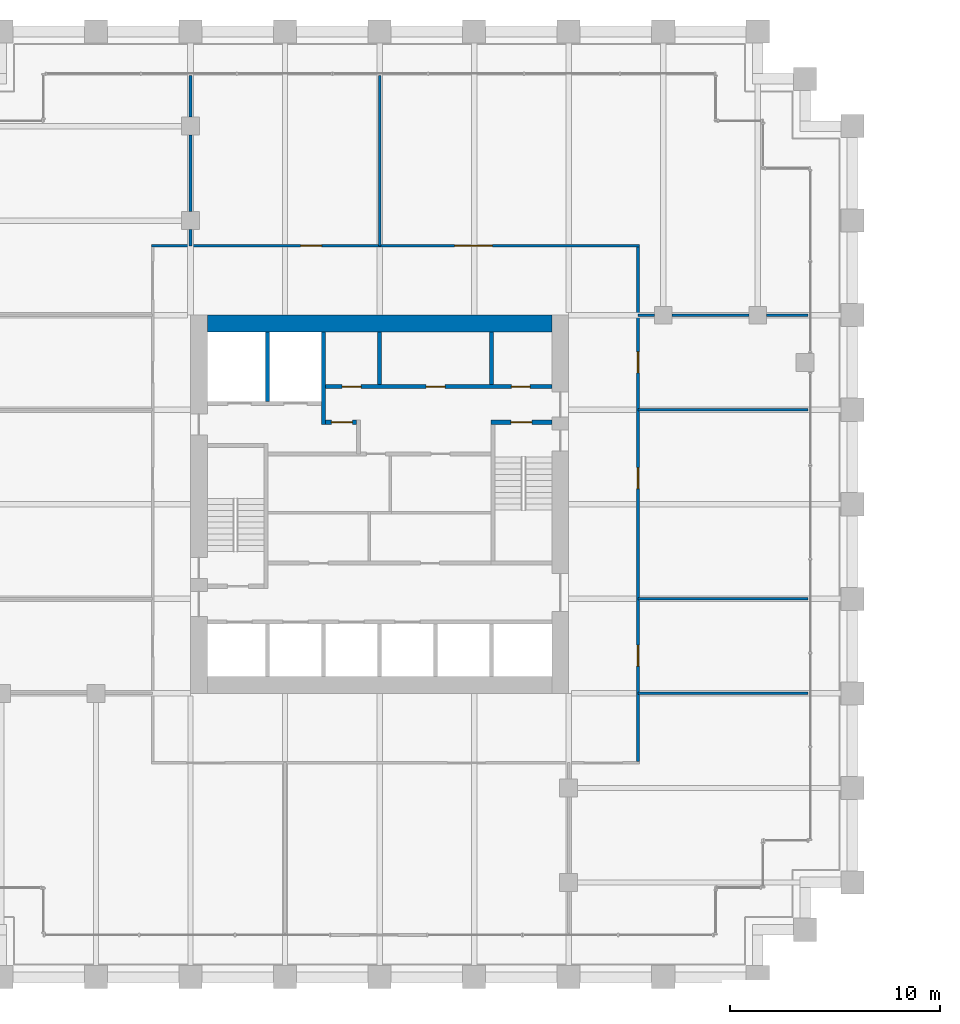
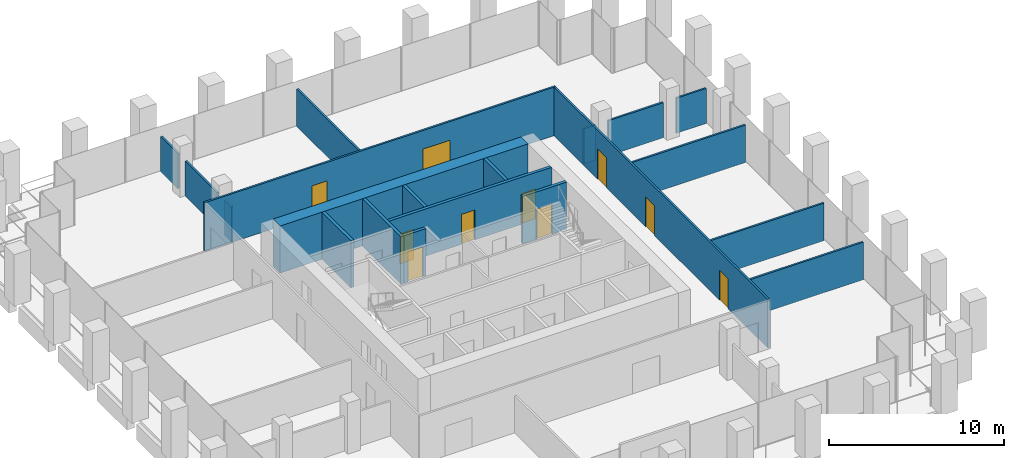
# One storey, part 51 of 56: 20 walls, 10 doors, 10 openings.
"""IFC4 building model written with IfcOpenShell, lengths in metres."""

from ifc_helpers import new_model, si_unit, direction, frame, frame_2d, origin, place, context, subcontext, project, spatial, rectangle, extrude, material, layer, layer_set, type_object, element, fill, save


model = new_model("IFC4")

# Units and contexts
model_context = context("Model", 3, precision=1e-05, world=origin(), true_north=direction((0.0, 1.0)))
body_context = subcontext(model_context, "Body", "Model", "MODEL_VIEW")
ifc_project = project(units=[si_unit("LENGTHUNIT", "METRE"), si_unit("AREAUNIT", "SQUARE_METRE"), si_unit("VOLUMEUNIT", "CUBIC_METRE"), si_unit("PLANEANGLEUNIT", "RADIAN"), si_unit("MASSUNIT", "GRAM", prefix="KILO")], contexts=[model_context])

# Site, building, storey
site_placement = place(None, origin())
site = spatial("IfcSite", under=ifc_project, at=site_placement, CompositionType="ELEMENT")
building_placement = place(site_placement, origin())
building = spatial("IfcBuilding", under=site, at=building_placement, Name="Altepetl Exchange Towers", CompositionType="ELEMENT")
storey_placement = place(building_placement, frame((0.0, 0.0, 83.39990234375)))
storey = spatial("IfcBuildingStorey", under=building, at=storey_placement, Name="L20", CompositionType="ELEMENT", Elevation=83.39990234375)

# Wall
ifc_material_1 = material(Name="Concrete C70/85", Category="concrete")
ifc_layer_1 = layer(ifc_material_1, 0.800048828125)
ifc_layer_set_1 = layer_set([ifc_layer_1], Name="Concrete C70/85")
wall_type_1 = type_object("IfcWallType", Name="Core wall 800 reinforced concrete", PredefinedType="SHEAR", material=ifc_layer_set_1)
wall_1_placement = place(storey_placement, frame((41.300048828125, 58.10009765625, 0.0)))
element("IfcWall", 1, at=wall_1_placement, inside=storey, type_object=wall_type_1, Name="wall:A:L20:K-coreN", PredefinedType="SHEAR", context=body_context, shape_type="SweptSolid", body=[
    extrude(rectangle(XDim=16.39990234375, YDim=0.800048828125, at=frame_2d((8.199951171875, 0.0))), origin(), (0.0, 0.0, 1.0), 3.300048828125),
])

# Wall, opening, door
ifc_material_2 = material(Name="Concrete blockwork", Category="masonry")
ifc_layer_2 = layer(ifc_material_2, 0.199951171875)
ifc_layer_set_2 = layer_set([ifc_layer_2], Name="Concrete blockwork")
wall_type_2 = type_object("IfcWallType", Name="Lobby wall 200 blockwork", PredefinedType="PARTITIONING", material=ifc_layer_set_2)
wall_2_placement = place(storey_placement, frame((46.933349609375, 53.39990234375, 0.0)))
wall_2 = element("IfcWall", 2, at=wall_2_placement, inside=storey, type_object=wall_type_2, Name="wall:A:L20:K-ffN", PredefinedType="PARTITIONING", context=body_context, shape_type="SweptSolid", body=[
    extrude(rectangle(XDim=1.466552734375, YDim=0.199951171875, at=frame_2d((0.7333984375, 0.0))), origin(), (0.0, 0.0, 1.0), 3.300048828125),
])
opening_1_placement = place(wall_2_placement, frame((0.2666015625, 0.0, 0.0)))
opening_1 = element("IfcOpeningElement", 3, at=opening_1_placement, cuts=wall_2, Name="Opening L20.A67", PredefinedType="OPENING", context=body_context, shape_type="SweptSolid", body=[
    extrude(rectangle(XDim=1.0, YDim=2.10009765625, at=frame_2d((0.5, 1.050048828125))), frame((0.0, 0.10986328125, 0.0), z_axis=(0.0, -1.0, 0.0), x_axis=(1.0, 0.0, 0.0)), (0.0, 0.0, 1.0), 0.219970703125),
])
ifc_material_3 = material(Name="Steel and timber fire door", Category="steel")
door_type_1 = type_object("IfcDoorType", Name="Fire door 1000 x 2100 stair and lobby", OperationType="SINGLE_SWING_LEFT", PredefinedType="DOOR", material=ifc_material_3)
door_1_placement = place(opening_1_placement, frame((1.0, 0.0, 0.0), x_axis=(-1.0, 0.0, 0.0)))
door_1 = element("IfcDoor", 4, at=door_1_placement, inside=storey, type_object=door_type_1, Name="door:A:L20:K-dffN", OperationType="SINGLE_SWING_RIGHT", OverallHeight=2.10009765625, OverallWidth=1.0, PredefinedType="DOOR", context=body_context, shape_type="SweptSolid", body=[
    extrude(rectangle(XDim=1.0, YDim=2.10009765625, at=frame_2d((0.5, 1.050048828125))), frame((0.0, 0.02490234375, 0.0), z_axis=(0.0, -1.0, 0.0), x_axis=(1.0, 0.0, 0.0)), (0.0, 0.0, 1.0), 0.050048828125),
])
fill(opening_1, door_1)

# Walls
ifc_material_4 = material(Name="Gypsum board on steel studs", Category="steel")
ifc_layer_3 = layer(ifc_material_4, 0.125)
ifc_layer_set_3 = layer_set([ifc_layer_3], Name="Gypsum board on steel studs")
wall_type_3 = type_object("IfcWallType", Name="Partition 125 gypsum board on steel studs", PredefinedType="PARTITIONING", material=ifc_layer_set_3)
for number, where, name in (
    (5, (61.800048828125, 40.5, 0.0), "wall:A:L20:P05"),
    (6, (61.800048828125, 45.0, 0.0), "wall:A:L20:P07"),
    (7, (61.800048828125, 54.0, 0.0), "wall:A:L20:P09"),
):
    element("IfcWall", number, at=place(storey_placement, frame(where)), inside=storey, type_object=wall_type_3, Name=name, PredefinedType="PARTITIONING", context=body_context, shape_type="SweptSolid", body=[
        extrude(rectangle(XDim=8.099853515625, YDim=0.125, at=frame_2d((4.0498046875, 0.0))), origin(), (0.0, 0.0, 1.0), 2.6259765625),
    ])
wall_3_placement = place(storey_placement, frame((61.800048828125, 58.5, 0.0)))
element("IfcWall", 8, at=wall_3_placement, inside=storey, type_object=wall_type_3, Name="wall:A:L20:P11", PredefinedType="PARTITIONING", context=body_context, shape_type="SweptSolid", body=[
    extrude(rectangle(XDim=0.77490234375, YDim=0.125, at=frame_2d((0.387451171875, 0.0))), origin(), (0.0, 0.0, 1.0), 2.45703125),
])
wall_4_placement = place(storey_placement, frame((63.425048828125, 58.5, 0.0)))
element("IfcWall", 9, at=wall_4_placement, inside=storey, type_object=wall_type_3, Name="wall:A:L20:P12", PredefinedType="PARTITIONING", context=body_context, shape_type="SweptSolid", body=[
    extrude(rectangle(XDim=3.64990234375, YDim=0.125, at=frame_2d((1.824951171875, 0.0))), origin(), (0.0, 0.0, 1.0), 2.45703125),
])
wall_5_placement = place(storey_placement, frame((67.925048828125, 58.5, 0.0)))
element("IfcWall", 10, at=wall_5_placement, inside=storey, type_object=wall_type_3, Name="wall:A:L20:P13", PredefinedType="PARTITIONING", context=body_context, shape_type="SweptSolid", body=[
    extrude(rectangle(XDim=1.974853515625, YDim=0.125, at=frame_2d((0.9873046875, 0.0))), origin(), (0.0, 0.0, 1.0), 2.45703125),
])

# Wall, openings, doors
wall_6_placement = place(storey_placement, frame((38.637451171875, 61.800048828125, 0.0)))
wall_6 = element("IfcWall", 11, at=wall_6_placement, inside=storey, type_object=wall_type_3, Name="wall:A:L20:P14", PredefinedType="PARTITIONING", context=body_context, shape_type="SweptSolid", body=[
    extrude(rectangle(XDim=23.22509765625, YDim=0.125, at=frame_2d((11.612548828125, 0.0))), origin(), (0.0, 0.0, 1.0), 3.400146484375),
])
opening_2_placement = place(wall_6_placement, frame((14.4326171875, 0.0, 0.0)))
opening_2 = element("IfcOpeningElement", 12, at=opening_2_placement, cuts=wall_6, Name="Opening L20.A08", PredefinedType="OPENING", context=body_context, shape_type="SweptSolid", body=[
    extrude(rectangle(XDim=1.800048828125, YDim=2.10009765625, at=frame_2d((0.89990234375, 1.050048828125))), frame((0.0, 0.072509765625, 0.0), z_axis=(0.0, -1.0, 0.0), x_axis=(1.0, 0.0, 0.0)), (0.0, 0.0, 1.0), 0.14501953125),
])
opening_3_placement = place(wall_6_placement, frame((7.1044921875, 0.0, 0.0)))
opening_3 = element("IfcOpeningElement", 13, at=opening_3_placement, cuts=wall_6, Name="Opening L20.A09", PredefinedType="OPENING", context=body_context, shape_type="SweptSolid", body=[
    extrude(rectangle(XDim=1.0, YDim=2.10009765625, at=frame_2d((0.5, 1.050048828125))), frame((0.0, 0.072509765625, 0.0), z_axis=(0.0, -1.0, 0.0), x_axis=(1.0, 0.0, 0.0)), (0.0, 0.0, 1.0), 0.14501953125),
])
door_type_2 = type_object("IfcDoorType", Name="Fire door 1000 x 2100 single leaf", OperationType="SINGLE_SWING_LEFT", PredefinedType="DOOR", material=ifc_material_3)
door_2_placement = place(opening_3_placement, origin())
door_2 = element("IfcDoor", 14, at=door_2_placement, inside=storey, type_object=door_type_2, Name="door:A:L20:09", OperationType="SINGLE_SWING_RIGHT", OverallHeight=2.10009765625, OverallWidth=1.0, PredefinedType="DOOR", context=body_context, shape_type="SweptSolid", body=[
    extrude(rectangle(XDim=1.0, YDim=2.10009765625, at=frame_2d((0.5, 1.050048828125))), frame((0.0, 0.02490234375, 0.0), z_axis=(0.0, -1.0, 0.0), x_axis=(1.0, 0.0, 0.0)), (0.0, 0.0, 1.0), 0.050048828125),
])
fill(opening_3, door_2)
door_type_3 = type_object("IfcDoorType", Name="Fire door 1800 x 2100 double leaf", OperationType="DOUBLE_DOOR_SINGLE_SWING", PredefinedType="DOOR", material=ifc_material_3)
door_3_placement = place(opening_2_placement, origin())
door_3 = element("IfcDoor", 15, at=door_3_placement, inside=storey, type_object=door_type_3, Name="door:A:L20:08", OperationType="DOUBLE_DOOR_SINGLE_SWING", OverallHeight=2.10009765625, OverallWidth=1.800048828125, PredefinedType="DOOR", context=body_context, shape_type="SweptSolid", body=[
    extrude(rectangle(XDim=1.800048828125, YDim=2.10009765625, at=frame_2d((0.89990234375, 1.050048828125))), frame((0.0, 0.02490234375, 0.0), z_axis=(0.0, -1.0, 0.0), x_axis=(1.0, 0.0, 0.0)), (0.0, 0.0, 1.0), 0.050048828125),
])
fill(opening_2, door_3)

# Walls
wall_7_placement = place(storey_placement, frame((40.5, 61.800048828125, 0.0), z_axis=(0.0, 0.0, 1.0), x_axis=(0.0, 1.0, 0.0)))
element("IfcWall", 16, at=wall_7_placement, inside=storey, type_object=wall_type_3, Name="wall:A:L20:P16", PredefinedType="PARTITIONING", context=body_context, shape_type="SweptSolid", body=[
    extrude(rectangle(XDim=0.77490234375, YDim=0.125, at=frame_2d((0.387451171875, 0.0))), origin(), (0.0, 0.0, 1.0), 2.45703125),
])
wall_8_placement = place(storey_placement, frame((40.5, 63.425048828125, 0.0), z_axis=(0.0, 0.0, 1.0), x_axis=(0.0, 1.0, 0.0)))
element("IfcWall", 17, at=wall_8_placement, inside=storey, type_object=wall_type_3, Name="wall:A:L20:P17", PredefinedType="PARTITIONING", context=body_context, shape_type="SweptSolid", body=[
    extrude(rectangle(XDim=3.64990234375, YDim=0.125, at=frame_2d((1.824951171875, 0.0))), origin(), (0.0, 0.0, 1.0), 2.45703125),
])
wall_9_placement = place(storey_placement, frame((40.5, 67.925048828125, 0.0), z_axis=(0.0, 0.0, 1.0), x_axis=(0.0, 1.0, 0.0)))
element("IfcWall", 18, at=wall_9_placement, inside=storey, type_object=wall_type_3, Name="wall:A:L20:P18", PredefinedType="PARTITIONING", context=body_context, shape_type="SweptSolid", body=[
    extrude(rectangle(XDim=1.974853515625, YDim=0.125, at=frame_2d((0.9873046875, 0.0))), origin(), (0.0, 0.0, 1.0), 2.45703125),
])
wall_10_placement = place(storey_placement, frame((49.5, 61.800048828125, 0.0), z_axis=(0.0, 0.0, 1.0), x_axis=(0.0, 1.0, 0.0)))
element("IfcWall", 19, at=wall_10_placement, inside=storey, type_object=wall_type_3, Name="wall:A:L20:P20", PredefinedType="PARTITIONING", context=body_context, shape_type="SweptSolid", body=[
    extrude(rectangle(XDim=8.099853515625, YDim=0.125, at=frame_2d((4.0498046875, 0.0))), origin(), (0.0, 0.0, 1.0), 2.6259765625),
])

# Wall, openings, doors
wall_11_placement = place(storey_placement, frame((61.800048828125, 37.262451171875, 0.0), z_axis=(0.0, 0.0, 1.0), x_axis=(0.0, 1.0, 0.0)))
wall_11 = element("IfcWall", 20, at=wall_11_placement, inside=storey, type_object=wall_type_3, Name="wall:A:L20:P24", PredefinedType="PARTITIONING", context=body_context, shape_type="SweptSolid", body=[
    extrude(rectangle(XDim=24.47509765625, YDim=0.125, at=frame_2d((12.237548828125, 0.0))), origin(), (0.0, 0.0, 1.0), 3.400146484375),
])
opening_4_placement = place(wall_11_placement, frame((4.532470703125, 0.0, 0.0)))
opening_4 = element("IfcOpeningElement", 21, at=opening_4_placement, cuts=wall_11, Name="Opening L20.A05", PredefinedType="OPENING", context=body_context, shape_type="SweptSolid", body=[
    extrude(rectangle(XDim=1.0, YDim=2.10009765625, at=frame_2d((0.5, 1.050048828125))), frame((0.0, 0.072509765625, 0.0), z_axis=(0.0, -1.0, 0.0), x_axis=(1.0, 0.0, 0.0)), (0.0, 0.0, 1.0), 0.14501953125),
])
opening_5_placement = place(wall_11_placement, frame((12.9794921875, 0.0, 0.0)))
opening_5 = element("IfcOpeningElement", 22, at=opening_5_placement, cuts=wall_11, Name="Opening L20.A06", PredefinedType="OPENING", context=body_context, shape_type="SweptSolid", body=[
    extrude(rectangle(XDim=1.0, YDim=2.10009765625, at=frame_2d((0.5, 1.050048828125))), frame((0.0, 0.072509765625, 0.0), z_axis=(0.0, -1.0, 0.0), x_axis=(1.0, 0.0, 0.0)), (0.0, 0.0, 1.0), 0.14501953125),
])
opening_6_placement = place(wall_11_placement, frame((18.487548828125, 0.0, 0.0)))
opening_6 = element("IfcOpeningElement", 23, at=opening_6_placement, cuts=wall_11, Name="Opening L20.A07", PredefinedType="OPENING", context=body_context, shape_type="SweptSolid", body=[
    extrude(rectangle(XDim=1.0, YDim=2.10009765625, at=frame_2d((0.5, 1.050048828125))), frame((0.0, 0.072509765625, 0.0), z_axis=(0.0, -1.0, 0.0), x_axis=(1.0, 0.0, 0.0)), (0.0, 0.0, 1.0), 0.14501953125),
])
door_4_placement = place(opening_4_placement, frame((1.0, 0.0, 0.0), x_axis=(-1.0, 0.0, 0.0)))
door_4 = element("IfcDoor", 24, at=door_4_placement, inside=storey, type_object=door_type_2, Name="door:A:L20:05", OperationType="SINGLE_SWING_LEFT", OverallHeight=2.10009765625, OverallWidth=1.0, PredefinedType="DOOR", context=body_context, shape_type="SweptSolid", body=[
    extrude(rectangle(XDim=1.0, YDim=2.10009765625, at=frame_2d((0.5, 1.050048828125))), frame((0.0, 0.02490234375, 0.0), z_axis=(0.0, -1.0, 0.0), x_axis=(1.0, 0.0, 0.0)), (0.0, 0.0, 1.0), 0.050048828125),
])
fill(opening_4, door_4)
door_5_placement = place(opening_5_placement, frame((1.0, 0.0, 0.0), x_axis=(-1.0, 0.0, 0.0)))
door_5 = element("IfcDoor", 25, at=door_5_placement, inside=storey, type_object=door_type_2, Name="door:A:L20:06", OperationType="SINGLE_SWING_LEFT", OverallHeight=2.10009765625, OverallWidth=1.0, PredefinedType="DOOR", context=body_context, shape_type="SweptSolid", body=[
    extrude(rectangle(XDim=1.0, YDim=2.10009765625, at=frame_2d((0.5, 1.050048828125))), frame((0.0, 0.02490234375, 0.0), z_axis=(0.0, -1.0, 0.0), x_axis=(1.0, 0.0, 0.0)), (0.0, 0.0, 1.0), 0.050048828125),
])
fill(opening_5, door_5)
door_6_placement = place(opening_6_placement, frame((1.0, 0.0, 0.0), x_axis=(-1.0, 0.0, 0.0)))
door_6 = element("IfcDoor", 26, at=door_6_placement, inside=storey, type_object=door_type_2, Name="door:A:L20:07", OperationType="SINGLE_SWING_LEFT", OverallHeight=2.10009765625, OverallWidth=1.0, PredefinedType="DOOR", context=body_context, shape_type="SweptSolid", body=[
    extrude(rectangle(XDim=1.0, YDim=2.10009765625, at=frame_2d((0.5, 1.050048828125))), frame((0.0, 0.02490234375, 0.0), z_axis=(0.0, -1.0, 0.0), x_axis=(1.0, 0.0, 0.0)), (0.0, 0.0, 1.0), 0.050048828125),
])
fill(opening_6, door_6)

# Walls
ifc_material_5 = material(Name="Concrete C40/50", Category="concrete")
ifc_layer_4 = layer(ifc_material_5, 0.199951171875)
ifc_layer_set_4 = layer_set([ifc_layer_4], Name="Concrete C40/50")
wall_type_4 = type_object("IfcWallType", Name="Shaft wall 200 reinforced concrete", PredefinedType="SHEAR", material=ifc_layer_set_4)
wall_12_placement = place(storey_placement, frame((44.166748046875, 57.699951171875, 0.0), z_axis=(0.0, 0.0, 1.0), x_axis=(0.0, -1.0, 0.0)))
element("IfcWall", 27, at=wall_12_placement, inside=storey, type_object=wall_type_4, Name="wall:A:L20:K-divN1", PredefinedType="SHEAR", context=body_context, shape_type="SweptSolid", body=[
    extrude(rectangle(XDim=3.300048828125, YDim=0.199951171875, at=frame_2d((1.64990234375, 0.0))), origin(), (0.0, 0.0, 1.0), 3.300048828125),
])
wall_13_placement = place(storey_placement, frame((46.833251953125, 57.699951171875, 0.0), z_axis=(0.0, 0.0, 1.0), x_axis=(0.0, -1.0, 0.0)))
element("IfcWall", 28, at=wall_13_placement, inside=storey, type_object=wall_type_4, Name="wall:A:L20:K-divN2", PredefinedType="SHEAR", context=body_context, shape_type="SweptSolid", body=[
    extrude(rectangle(XDim=4.39990234375, YDim=0.199951171875, at=frame_2d((2.199951171875, 0.0))), origin(), (0.0, 0.0, 1.0), 3.300048828125),
])
for number, where, z_axis, x_axis, name in (
    (29, (49.5, 57.699951171875, 0.0), (0.0, 0.0, 1.0), (0.0, -1.0, 0.0), "wall:A:L20:K-divN3"),
    (30, (54.833251953125, 57.699951171875, 0.0), (0.0, 0.0, 1.0), (0.0, -1.0, 0.0), "wall:A:L20:K-divN5"),
):
    element("IfcWall", number, at=place(storey_placement, frame(where, z_axis=z_axis, x_axis=x_axis)), inside=storey, type_object=wall_type_4, Name=name, PredefinedType="SHEAR", context=body_context, shape_type="SweptSolid", body=[
        extrude(rectangle(XDim=2.5, YDim=0.199951171875, at=frame_2d((1.25, 0.0))), origin(), (0.0, 0.0, 1.0), 3.300048828125),
    ])

# Wall, openings, doors
wall_14_placement = place(storey_placement, frame((46.933349609375, 55.10009765625, 0.0)))
wall_14 = element("IfcWall", 31, at=wall_14_placement, inside=storey, type_object=wall_type_4, Name="wall:A:L20:K-frontNb", PredefinedType="SHEAR", context=body_context, shape_type="SweptSolid", body=[
    extrude(rectangle(XDim=10.7666015625, YDim=0.199951171875, at=frame_2d((5.38330078125, 0.0))), origin(), (0.0, 0.0, 1.0), 3.300048828125),
])
opening_7_placement = place(wall_14_placement, frame((8.83349609375, 0.0, 0.0)))
opening_7 = element("IfcOpeningElement", 32, at=opening_7_placement, cuts=wall_14, Name="Opening L20.A69", PredefinedType="OPENING", context=body_context, shape_type="SweptSolid", body=[
    extrude(rectangle(XDim=0.89990234375, YDim=2.10009765625, at=frame_2d((0.449951171875, 1.050048828125))), frame((0.0, 0.10986328125, 0.0), z_axis=(0.0, -1.0, 0.0), x_axis=(1.0, 0.0, 0.0)), (0.0, 0.0, 1.0), 0.219970703125),
])
opening_8_placement = place(wall_14_placement, frame((0.783447265625, 0.0, 0.0)))
opening_8 = element("IfcOpeningElement", 33, at=opening_8_placement, cuts=wall_14, Name="Opening L20.A70", PredefinedType="OPENING", context=body_context, shape_type="SweptSolid", body=[
    extrude(rectangle(XDim=0.89990234375, YDim=2.10009765625, at=frame_2d((0.449951171875, 1.050048828125))), frame((0.0, 0.10986328125, 0.0), z_axis=(0.0, -1.0, 0.0), x_axis=(1.0, 0.0, 0.0)), (0.0, 0.0, 1.0), 0.219970703125),
])
opening_9_placement = place(wall_14_placement, frame((4.783447265625, 0.0, 0.0)))
opening_9 = element("IfcOpeningElement", 34, at=opening_9_placement, cuts=wall_14, Name="Opening L20.A71", PredefinedType="OPENING", context=body_context, shape_type="SweptSolid", body=[
    extrude(rectangle(XDim=0.89990234375, YDim=2.10009765625, at=frame_2d((0.449951171875, 1.050048828125))), frame((0.0, 0.10986328125, 0.0), z_axis=(0.0, -1.0, 0.0), x_axis=(1.0, 0.0, 0.0)), (0.0, 0.0, 1.0), 0.219970703125),
])
door_type_4 = type_object("IfcDoorType", Name="Fire door 900 x 2100 service room", OperationType="SINGLE_SWING_LEFT", PredefinedType="DOOR", material=ifc_material_3)
door_7_placement = place(opening_7_placement, origin())
door_7 = element("IfcDoor", 35, at=door_7_placement, inside=storey, type_object=door_type_4, Name="door:A:L20:K-driser", OperationType="SINGLE_SWING_RIGHT", OverallHeight=2.10009765625, OverallWidth=0.89990234375, PredefinedType="DOOR", context=body_context, shape_type="SweptSolid", body=[
    extrude(rectangle(XDim=0.89990234375, YDim=2.10009765625, at=frame_2d((0.449951171875, 1.050048828125))), frame((0.0, 0.02490234375, 0.0), z_axis=(0.0, -1.0, 0.0), x_axis=(1.0, 0.0, 0.0)), (0.0, 0.0, 1.0), 0.050048828125),
])
fill(opening_7, door_7)
door_8_placement = place(opening_8_placement, origin())
door_8 = element("IfcDoor", 36, at=door_8_placement, inside=storey, type_object=door_type_4, Name="door:A:L20:K-dslotN2", OperationType="SINGLE_SWING_RIGHT", OverallHeight=2.10009765625, OverallWidth=0.89990234375, PredefinedType="DOOR", context=body_context, shape_type="SweptSolid", body=[
    extrude(rectangle(XDim=0.89990234375, YDim=2.10009765625, at=frame_2d((0.449951171875, 1.050048828125))), frame((0.0, 0.02490234375, 0.0), z_axis=(0.0, -1.0, 0.0), x_axis=(1.0, 0.0, 0.0)), (0.0, 0.0, 1.0), 0.050048828125),
])
fill(opening_8, door_8)
door_9_placement = place(opening_9_placement, origin())
door_9 = element("IfcDoor", 37, at=door_9_placement, inside=storey, type_object=door_type_4, Name="door:A:L20:K-dslotN3", OperationType="SINGLE_SWING_RIGHT", OverallHeight=2.10009765625, OverallWidth=0.89990234375, PredefinedType="DOOR", context=body_context, shape_type="SweptSolid", body=[
    extrude(rectangle(XDim=0.89990234375, YDim=2.10009765625, at=frame_2d((0.449951171875, 1.050048828125))), frame((0.0, 0.02490234375, 0.0), z_axis=(0.0, -1.0, 0.0), x_axis=(1.0, 0.0, 0.0)), (0.0, 0.0, 1.0), 0.050048828125),
])
fill(opening_9, door_9)

# Wall, opening, door
ifc_layer_5 = layer(ifc_material_5, 0.199951171875)
ifc_layer_set_5 = layer_set([ifc_layer_5], Name="Concrete C40/50")
wall_type_5 = type_object("IfcWallType", Name="Stair wall 200 reinforced concrete", PredefinedType="SHEAR", material=ifc_layer_set_5)
wall_15_placement = place(storey_placement, frame((54.800048828125, 53.39990234375, 0.0)))
wall_15 = element("IfcWall", 38, at=wall_15_placement, inside=storey, type_object=wall_type_5, Name="wall:A:L20:K-stS2N", PredefinedType="SHEAR", context=body_context, shape_type="SweptSolid", body=[
    extrude(rectangle(XDim=2.89990234375, YDim=0.199951171875, at=frame_2d((1.449951171875, 0.0))), origin(), (0.0, 0.0, 1.0), 3.300048828125),
])
opening_10_placement = place(wall_15_placement, frame((0.949951171875, 0.0, 0.0)))
opening_10 = element("IfcOpeningElement", 39, at=opening_10_placement, cuts=wall_15, Name="Opening L20.A65", PredefinedType="OPENING", context=body_context, shape_type="SweptSolid", body=[
    extrude(rectangle(XDim=1.0, YDim=2.10009765625, at=frame_2d((0.5, 1.050048828125))), frame((0.0, 0.10986328125, 0.0), z_axis=(0.0, -1.0, 0.0), x_axis=(1.0, 0.0, 0.0)), (0.0, 0.0, 1.0), 0.219970703125),
])
door_10_placement = place(opening_10_placement, frame((1.0, 0.0, 0.0), x_axis=(-1.0, 0.0, 0.0)))
door_10 = element("IfcDoor", 40, at=door_10_placement, inside=storey, type_object=door_type_1, Name="door:A:L20:K-dS2in", OperationType="SINGLE_SWING_LEFT", OverallHeight=2.10009765625, OverallWidth=1.0, PredefinedType="DOOR", context=body_context, shape_type="SweptSolid", body=[
    extrude(rectangle(XDim=1.0, YDim=2.10009765625, at=frame_2d((0.5, 1.050048828125))), frame((0.0, 0.02490234375, 0.0), z_axis=(0.0, -1.0, 0.0), x_axis=(1.0, 0.0, 0.0)), (0.0, 0.0, 1.0), 0.050048828125),
])
fill(opening_10, door_10)

save(model, "model.ifc")
